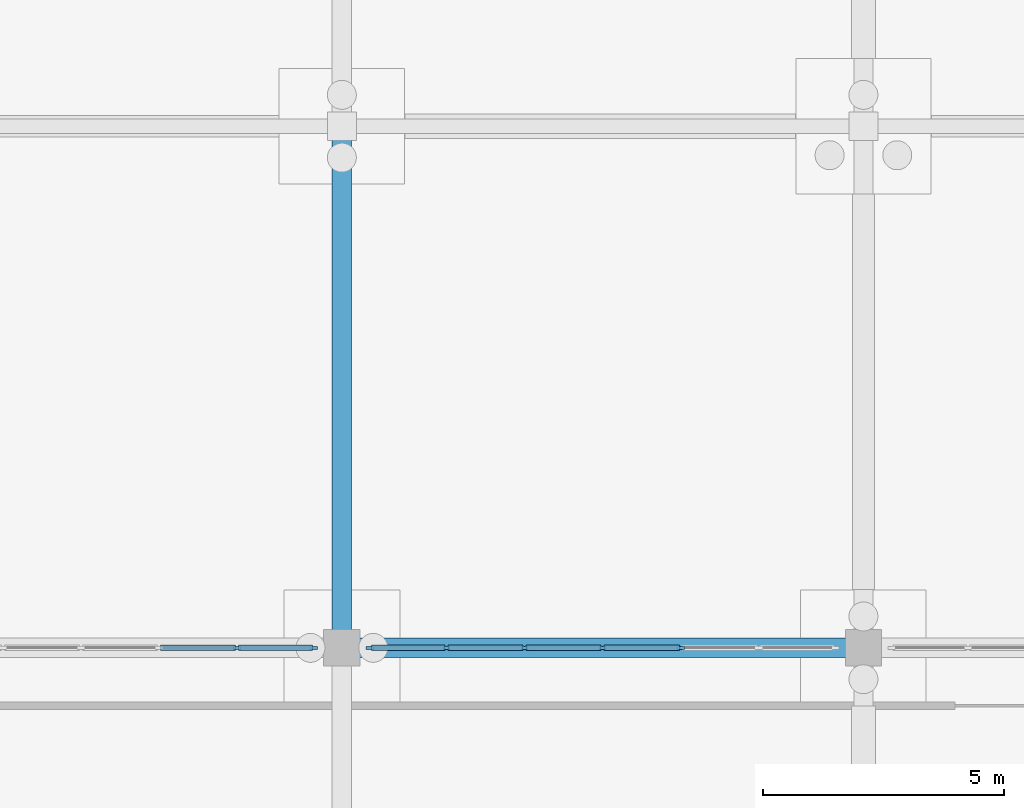
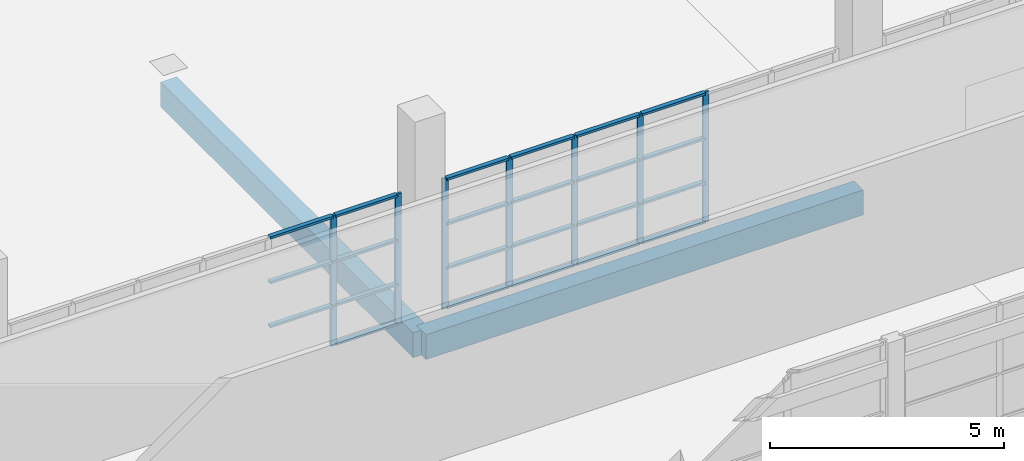
# One storey, part 38 of 138: 30 members, 2 beams, 2 elements without a shape of their own.
"""IFC4 building model written with IfcOpenShell, lengths in metres."""

from ifc_helpers import new_model, si_unit, direction, frame, origin, origin_2d, place, context, subcontext, project, spatial, rectangle, extrude, material, material_profile, profile_set, type_object, element, aggregate, save


model = new_model("IFC4")

# Units and contexts
model_context = context("Model", 3, precision=1e-05, world=origin(), true_north=direction((0.0, 1.0)))
body_context = subcontext(model_context, "Body", "Model", "MODEL_VIEW")
ifc_project = project(units=[si_unit("LENGTHUNIT", "METRE"), si_unit("AREAUNIT", "SQUARE_METRE"), si_unit("VOLUMEUNIT", "CUBIC_METRE"), si_unit("PLANEANGLEUNIT", "RADIAN"), si_unit("MASSUNIT", "GRAM", prefix="KILO")], contexts=[model_context])

# Site, building, storey
site_placement = place(None, origin())
site = spatial("IfcSite", under=ifc_project, at=site_placement, CompositionType="ELEMENT")
building_placement = place(site_placement, origin())
building = spatial("IfcBuilding", under=site, at=building_placement, Name="Zwinboog Wholesale Market", CompositionType="ELEMENT")
storey_placement = place(building_placement, origin())
storey = spatial("IfcBuildingStorey", under=building, at=storey_placement, Name="L00", CompositionType="ELEMENT", Elevation=0.0)

# Beams
ifc_material_1 = material(Name="Precast concrete C45/55", Category="concrete")
ifc_material_profile_1 = material_profile(ifc_material_1, rectangle(XDim=0.39990234375, YDim=0.64990234375, at=origin_2d()), Name="PC 400x650")
ifc_profile_set_1 = profile_set([ifc_material_profile_1], Name="Precast concrete C45/55")
beam_type = type_object("IfcBeamType", Name="BT-05", PredefinedType="BEAM", material=ifc_profile_set_1)
for number, where, z_axis, x_axis, name in (
    (1, (118.800048828125, 54.0, -0.705078125), (1.0, 0.0, 0.0), (0.0, 1.0, 0.0), "BG-05 (BMG-L00-1188-0540-0078)"),
    (2, (118.800048828125, 54.0, -0.705078125), (0.0, 1.0, 0.0), (-1.0, 0.0, 0.0), "BG-05 (BMG-L00-1188-0540-0322)"),
):
    element("IfcBeam", number, at=place(storey_placement, frame(where, z_axis=z_axis, x_axis=x_axis)), inside=storey, type_object=beam_type, Name=name, PredefinedType="BEAM", context=body_context, shape_type="SweptSolid", body=[
        extrude(rectangle(XDim=0.39990234375, YDim=0.64990234375, at=origin_2d()), origin(), (0.0, 0.0, 1.0), 10.800048828125),
    ])

# Curtain wall, members
ifc_material_2 = material(Name="Aluminium thermally broken curtain wall", Category="aluminium")
curtain_wall_type = type_object("IfcCurtainWallType", Name="CWT-INT-STALL", PredefinedType="USERDEFINED", material=ifc_material_2)
curtain_wall_1_placement = place(storey_placement, origin())
curtain_wall_1 = element("IfcCurtainWall", 3, at=curtain_wall_1_placement, inside=storey, type_object=curtain_wall_type, Name="CW-07 (CW-STL-185)", ObjectType="STOREFRONT_GLAZING", PredefinedType="USERDEFINED")
ifc_material_3 = material(Name="Aluminium EN AW-6060", Category="aluminium")
ifc_material_profile_2 = material_profile(ifc_material_3, rectangle(XDim=0.06005859375, YDim=0.14990234375, at=origin_2d()), Name="AL 60x150")
ifc_profile_set_2 = profile_set([ifc_material_profile_2], Name="Aluminium EN AW-6060")
member_type_1 = type_object("IfcMemberType", Name="CWM-INT-60x120", PredefinedType="MULLION", material=ifc_profile_set_2)
member_1_placement = place(storey_placement, frame((116.63330078125, 54.0, 0.0), z_axis=(0.0, 0.0, 1.0), x_axis=(0.0, 1.0, 0.0)))
member_1 = element("IfcMember", 4, at=member_1_placement, type_object=member_type_1, Name="CW-07 mullion 6", PredefinedType="MULLION", context=body_context, shape_type="SweptSolid", body=[
    extrude(rectangle(XDim=0.06005859375, YDim=0.14990234375, at=origin_2d()), origin(), (0.0, 0.0, 1.0), 3.39990234375),
])
member_2_placement = place(storey_placement, frame((118.219970703125, 54.0, 0.0), z_axis=(0.0, 0.0, 1.0), x_axis=(0.0, 1.0, 0.0)))
member_2 = element("IfcMember", 5, at=member_2_placement, type_object=member_type_1, Name="CW-07 mullion 7", PredefinedType="MULLION", context=body_context, shape_type="SweptSolid", body=[
    extrude(rectangle(XDim=0.06005859375, YDim=0.14990234375, at=origin_2d()), origin(), (0.0, 0.0, 1.0), 3.39990234375),
])

curtain_wall_2_placement = place(storey_placement, origin())
curtain_wall_2 = element("IfcCurtainWall", 6, at=curtain_wall_2_placement, inside=storey, type_object=curtain_wall_type, Name="CW-07 (CW-STL-186)", ObjectType="STOREFRONT_GLAZING", PredefinedType="USERDEFINED")
member_3_placement = place(storey_placement, frame((119.3798828125, 54.0, 0.0), z_axis=(0.0, 0.0, 1.0), x_axis=(0.0, 1.0, 0.0)))
member_3 = element("IfcMember", 7, at=member_3_placement, type_object=member_type_1, Name="CW-07 mullion 1", PredefinedType="MULLION", context=body_context, shape_type="SweptSolid", body=[
    extrude(rectangle(XDim=0.06005859375, YDim=0.14990234375, at=origin_2d()), origin(), (0.0, 0.0, 1.0), 3.39990234375),
])
member_4_placement = place(storey_placement, frame((120.966552734375, 54.0, 0.0), z_axis=(0.0, 0.0, 1.0), x_axis=(0.0, 1.0, 0.0)))
member_4 = element("IfcMember", 8, at=member_4_placement, type_object=member_type_1, Name="CW-07 mullion 2", PredefinedType="MULLION", context=body_context, shape_type="SweptSolid", body=[
    extrude(rectangle(XDim=0.06005859375, YDim=0.14990234375, at=origin_2d()), origin(), (0.0, 0.0, 1.0), 3.39990234375),
])
member_5_placement = place(storey_placement, frame((122.583251953125, 54.0, 0.0), z_axis=(0.0, 0.0, 1.0), x_axis=(0.0, 1.0, 0.0)))
member_5 = element("IfcMember", 9, at=member_5_placement, type_object=member_type_1, Name="CW-07 mullion 3", PredefinedType="MULLION", context=body_context, shape_type="SweptSolid", body=[
    extrude(rectangle(XDim=0.06005859375, YDim=0.14990234375, at=origin_2d()), origin(), (0.0, 0.0, 1.0), 3.39990234375),
])
member_6_placement = place(storey_placement, frame((124.199951171875, 54.0, 0.0), z_axis=(0.0, 0.0, 1.0), x_axis=(0.0, 1.0, 0.0)))
member_6 = element("IfcMember", 10, at=member_6_placement, type_object=member_type_1, Name="CW-07 mullion 4", PredefinedType="MULLION", context=body_context, shape_type="SweptSolid", body=[
    extrude(rectangle(XDim=0.06005859375, YDim=0.14990234375, at=origin_2d()), origin(), (0.0, 0.0, 1.0), 3.39990234375),
])
member_7_placement = place(storey_placement, frame((125.816650390625, 54.0, 0.0), z_axis=(0.0, 0.0, 1.0), x_axis=(0.0, 1.0, 0.0)))
member_7 = element("IfcMember", 11, at=member_7_placement, type_object=member_type_1, Name="CW-07 mullion 5", PredefinedType="MULLION", context=body_context, shape_type="SweptSolid", body=[
    extrude(rectangle(XDim=0.06005859375, YDim=0.14990234375, at=origin_2d()), origin(), (0.0, 0.0, 1.0), 3.39990234375),
])

# Member
ifc_material_profile_3 = material_profile(ifc_material_3, rectangle(XDim=0.110107421875, YDim=0.06005859375, at=origin_2d()), Name="AL 60x110")
ifc_profile_set_3 = profile_set([ifc_material_profile_3], Name="Aluminium EN AW-6060")
member_type_2 = type_object("IfcMemberType", Name="CWT-INT-60x100", PredefinedType="USERDEFINED", material=ifc_profile_set_3)
member_8_placement = place(storey_placement, frame((115.046630859375, 54.0, 1.050048828125), z_axis=(1.0, 0.0, 0.0), x_axis=(0.0, 1.0, 0.0)))
member_8 = element("IfcMember", 12, at=member_8_placement, type_object=member_type_2, Name="CW-07 transom 5.2", ObjectType="TRANSOM", PredefinedType="USERDEFINED", context=body_context, shape_type="SweptSolid", body=[
    extrude(rectangle(XDim=0.110107421875, YDim=0.06005859375, at=origin_2d()), origin(), (0.0, 0.0, 1.0), 1.556640625),
])

member_9_placement = place(storey_placement, frame((115.046630859375, 54.0, 2.199951171875), z_axis=(1.0, 0.0, 0.0), x_axis=(0.0, 1.0, 0.0)))
member_9 = element("IfcMember", 13, at=member_9_placement, type_object=member_type_2, Name="CW-07 transom 5.3", ObjectType="TRANSOM", PredefinedType="USERDEFINED", context=body_context, shape_type="SweptSolid", body=[
    extrude(rectangle(XDim=0.110107421875, YDim=0.06005859375, at=origin_2d()), origin(), (0.0, 0.0, 1.0), 1.556640625),
])

member_10_placement = place(storey_placement, frame((115.046630859375, 54.0, 3.3701171875), z_axis=(1.0, 0.0, 0.0), x_axis=(0.0, 1.0, 0.0)))
member_10 = element("IfcMember", 14, at=member_10_placement, type_object=member_type_2, Name="CW-07 transom 5.4", ObjectType="TRANSOM", PredefinedType="USERDEFINED", context=body_context, shape_type="SweptSolid", body=[
    extrude(rectangle(XDim=0.110107421875, YDim=0.06005859375, at=origin_2d()), origin(), (0.0, 0.0, 1.0), 1.556640625),
])

member_11_placement = place(storey_placement, frame((116.663330078125, 54.0, 0.030029296875), z_axis=(1.0, 0.0, 0.0), x_axis=(0.0, 1.0, 0.0)))
member_11 = element("IfcMember", 15, at=member_11_placement, type_object=member_type_2, Name="CW-07 transom 6.1", ObjectType="TRANSOM", PredefinedType="USERDEFINED", context=body_context, shape_type="SweptSolid", body=[
    extrude(rectangle(XDim=0.110107421875, YDim=0.06005859375, at=origin_2d()), origin(), (0.0, 0.0, 1.0), 1.526611328125),
])

member_12_placement = place(storey_placement, frame((116.663330078125, 54.0, 1.050048828125), z_axis=(1.0, 0.0, 0.0), x_axis=(0.0, 1.0, 0.0)))
member_12 = element("IfcMember", 16, at=member_12_placement, type_object=member_type_2, Name="CW-07 transom 6.2", ObjectType="TRANSOM", PredefinedType="USERDEFINED", context=body_context, shape_type="SweptSolid", body=[
    extrude(rectangle(XDim=0.110107421875, YDim=0.06005859375, at=origin_2d()), origin(), (0.0, 0.0, 1.0), 1.526611328125),
])

member_13_placement = place(storey_placement, frame((116.663330078125, 54.0, 2.199951171875), z_axis=(1.0, 0.0, 0.0), x_axis=(0.0, 1.0, 0.0)))
member_13 = element("IfcMember", 17, at=member_13_placement, type_object=member_type_2, Name="CW-07 transom 6.3", ObjectType="TRANSOM", PredefinedType="USERDEFINED", context=body_context, shape_type="SweptSolid", body=[
    extrude(rectangle(XDim=0.110107421875, YDim=0.06005859375, at=origin_2d()), origin(), (0.0, 0.0, 1.0), 1.526611328125),
])

member_14_placement = place(storey_placement, frame((116.663330078125, 54.0, 3.3701171875), z_axis=(1.0, 0.0, 0.0), x_axis=(0.0, 1.0, 0.0)))
member_14 = element("IfcMember", 18, at=member_14_placement, type_object=member_type_2, Name="CW-07 transom 6.4", ObjectType="TRANSOM", PredefinedType="USERDEFINED", context=body_context, shape_type="SweptSolid", body=[
    extrude(rectangle(XDim=0.110107421875, YDim=0.06005859375, at=origin_2d()), origin(), (0.0, 0.0, 1.0), 1.526611328125),
])

aggregate(curtain_wall_1, [member_1, member_2, member_8, member_9, member_10, member_11, member_12, member_13, member_14])

member_15_placement = place(storey_placement, frame((119.409912109375, 54.0, 0.030029296875), z_axis=(1.0, 0.0, 0.0), x_axis=(0.0, 1.0, 0.0)))
member_15 = element("IfcMember", 19, at=member_15_placement, type_object=member_type_2, Name="CW-07 transom 1.1", ObjectType="TRANSOM", PredefinedType="USERDEFINED", context=body_context, shape_type="SweptSolid", body=[
    extrude(rectangle(XDim=0.110107421875, YDim=0.06005859375, at=origin_2d()), origin(), (0.0, 0.0, 1.0), 1.52685546875),
])

member_16_placement = place(storey_placement, frame((119.409912109375, 54.0, 1.050048828125), z_axis=(1.0, 0.0, 0.0), x_axis=(0.0, 1.0, 0.0)))
member_16 = element("IfcMember", 20, at=member_16_placement, type_object=member_type_2, Name="CW-07 transom 1.2", ObjectType="TRANSOM", PredefinedType="USERDEFINED", context=body_context, shape_type="SweptSolid", body=[
    extrude(rectangle(XDim=0.110107421875, YDim=0.06005859375, at=origin_2d()), origin(), (0.0, 0.0, 1.0), 1.52685546875),
])

member_17_placement = place(storey_placement, frame((119.409912109375, 54.0, 2.199951171875), z_axis=(1.0, 0.0, 0.0), x_axis=(0.0, 1.0, 0.0)))
member_17 = element("IfcMember", 21, at=member_17_placement, type_object=member_type_2, Name="CW-07 transom 1.3", ObjectType="TRANSOM", PredefinedType="USERDEFINED", context=body_context, shape_type="SweptSolid", body=[
    extrude(rectangle(XDim=0.110107421875, YDim=0.06005859375, at=origin_2d()), origin(), (0.0, 0.0, 1.0), 1.52685546875),
])

member_18_placement = place(storey_placement, frame((119.409912109375, 54.0, 3.3701171875), z_axis=(1.0, 0.0, 0.0), x_axis=(0.0, 1.0, 0.0)))
member_18 = element("IfcMember", 22, at=member_18_placement, type_object=member_type_2, Name="CW-07 transom 1.4", ObjectType="TRANSOM", PredefinedType="USERDEFINED", context=body_context, shape_type="SweptSolid", body=[
    extrude(rectangle(XDim=0.110107421875, YDim=0.06005859375, at=origin_2d()), origin(), (0.0, 0.0, 1.0), 1.52685546875),
])

member_19_placement = place(storey_placement, frame((120.99658203125, 54.0, 0.030029296875), z_axis=(1.0, 0.0, 0.0), x_axis=(0.0, 1.0, 0.0)))
member_19 = element("IfcMember", 23, at=member_19_placement, type_object=member_type_2, Name="CW-07 transom 2.1", ObjectType="TRANSOM", PredefinedType="USERDEFINED", context=body_context, shape_type="SweptSolid", body=[
    extrude(rectangle(XDim=0.110107421875, YDim=0.06005859375, at=origin_2d()), origin(), (0.0, 0.0, 1.0), 1.556640625),
])

member_20_placement = place(storey_placement, frame((120.99658203125, 54.0, 1.050048828125), z_axis=(1.0, 0.0, 0.0), x_axis=(0.0, 1.0, 0.0)))
member_20 = element("IfcMember", 24, at=member_20_placement, type_object=member_type_2, Name="CW-07 transom 2.2", ObjectType="TRANSOM", PredefinedType="USERDEFINED", context=body_context, shape_type="SweptSolid", body=[
    extrude(rectangle(XDim=0.110107421875, YDim=0.06005859375, at=origin_2d()), origin(), (0.0, 0.0, 1.0), 1.556640625),
])

member_21_placement = place(storey_placement, frame((120.99658203125, 54.0, 2.199951171875), z_axis=(1.0, 0.0, 0.0), x_axis=(0.0, 1.0, 0.0)))
member_21 = element("IfcMember", 25, at=member_21_placement, type_object=member_type_2, Name="CW-07 transom 2.3", ObjectType="TRANSOM", PredefinedType="USERDEFINED", context=body_context, shape_type="SweptSolid", body=[
    extrude(rectangle(XDim=0.110107421875, YDim=0.06005859375, at=origin_2d()), origin(), (0.0, 0.0, 1.0), 1.556640625),
])

member_22_placement = place(storey_placement, frame((120.99658203125, 54.0, 3.3701171875), z_axis=(1.0, 0.0, 0.0), x_axis=(0.0, 1.0, 0.0)))
member_22 = element("IfcMember", 26, at=member_22_placement, type_object=member_type_2, Name="CW-07 transom 2.4", ObjectType="TRANSOM", PredefinedType="USERDEFINED", context=body_context, shape_type="SweptSolid", body=[
    extrude(rectangle(XDim=0.110107421875, YDim=0.06005859375, at=origin_2d()), origin(), (0.0, 0.0, 1.0), 1.556640625),
])

member_23_placement = place(storey_placement, frame((122.61328125, 54.0, 0.030029296875), z_axis=(1.0, 0.0, 0.0), x_axis=(0.0, 1.0, 0.0)))
member_23 = element("IfcMember", 27, at=member_23_placement, type_object=member_type_2, Name="CW-07 transom 3.1", ObjectType="TRANSOM", PredefinedType="USERDEFINED", context=body_context, shape_type="SweptSolid", body=[
    extrude(rectangle(XDim=0.110107421875, YDim=0.06005859375, at=origin_2d()), origin(), (0.0, 0.0, 1.0), 1.556640625),
])

member_24_placement = place(storey_placement, frame((122.61328125, 54.0, 1.050048828125), z_axis=(1.0, 0.0, 0.0), x_axis=(0.0, 1.0, 0.0)))
member_24 = element("IfcMember", 28, at=member_24_placement, type_object=member_type_2, Name="CW-07 transom 3.2", ObjectType="TRANSOM", PredefinedType="USERDEFINED", context=body_context, shape_type="SweptSolid", body=[
    extrude(rectangle(XDim=0.110107421875, YDim=0.06005859375, at=origin_2d()), origin(), (0.0, 0.0, 1.0), 1.556640625),
])

member_25_placement = place(storey_placement, frame((122.61328125, 54.0, 2.199951171875), z_axis=(1.0, 0.0, 0.0), x_axis=(0.0, 1.0, 0.0)))
member_25 = element("IfcMember", 29, at=member_25_placement, type_object=member_type_2, Name="CW-07 transom 3.3", ObjectType="TRANSOM", PredefinedType="USERDEFINED", context=body_context, shape_type="SweptSolid", body=[
    extrude(rectangle(XDim=0.110107421875, YDim=0.06005859375, at=origin_2d()), origin(), (0.0, 0.0, 1.0), 1.556640625),
])

member_26_placement = place(storey_placement, frame((122.61328125, 54.0, 3.3701171875), z_axis=(1.0, 0.0, 0.0), x_axis=(0.0, 1.0, 0.0)))
member_26 = element("IfcMember", 30, at=member_26_placement, type_object=member_type_2, Name="CW-07 transom 3.4", ObjectType="TRANSOM", PredefinedType="USERDEFINED", context=body_context, shape_type="SweptSolid", body=[
    extrude(rectangle(XDim=0.110107421875, YDim=0.06005859375, at=origin_2d()), origin(), (0.0, 0.0, 1.0), 1.556640625),
])

member_27_placement = place(storey_placement, frame((124.22998046875, 54.0, 0.030029296875), z_axis=(1.0, 0.0, 0.0), x_axis=(0.0, 1.0, 0.0)))
member_27 = element("IfcMember", 31, at=member_27_placement, type_object=member_type_2, Name="CW-07 transom 4.1", ObjectType="TRANSOM", PredefinedType="USERDEFINED", context=body_context, shape_type="SweptSolid", body=[
    extrude(rectangle(XDim=0.110107421875, YDim=0.06005859375, at=origin_2d()), origin(), (0.0, 0.0, 1.0), 1.556640625),
])

member_28_placement = place(storey_placement, frame((124.22998046875, 54.0, 1.050048828125), z_axis=(1.0, 0.0, 0.0), x_axis=(0.0, 1.0, 0.0)))
member_28 = element("IfcMember", 32, at=member_28_placement, type_object=member_type_2, Name="CW-07 transom 4.2", ObjectType="TRANSOM", PredefinedType="USERDEFINED", context=body_context, shape_type="SweptSolid", body=[
    extrude(rectangle(XDim=0.110107421875, YDim=0.06005859375, at=origin_2d()), origin(), (0.0, 0.0, 1.0), 1.556640625),
])

member_29_placement = place(storey_placement, frame((124.22998046875, 54.0, 2.199951171875), z_axis=(1.0, 0.0, 0.0), x_axis=(0.0, 1.0, 0.0)))
member_29 = element("IfcMember", 33, at=member_29_placement, type_object=member_type_2, Name="CW-07 transom 4.3", ObjectType="TRANSOM", PredefinedType="USERDEFINED", context=body_context, shape_type="SweptSolid", body=[
    extrude(rectangle(XDim=0.110107421875, YDim=0.06005859375, at=origin_2d()), origin(), (0.0, 0.0, 1.0), 1.556640625),
])

member_30_placement = place(storey_placement, frame((124.22998046875, 54.0, 3.3701171875), z_axis=(1.0, 0.0, 0.0), x_axis=(0.0, 1.0, 0.0)))
member_30 = element("IfcMember", 34, at=member_30_placement, type_object=member_type_2, Name="CW-07 transom 4.4", ObjectType="TRANSOM", PredefinedType="USERDEFINED", context=body_context, shape_type="SweptSolid", body=[
    extrude(rectangle(XDim=0.110107421875, YDim=0.06005859375, at=origin_2d()), origin(), (0.0, 0.0, 1.0), 1.556640625),
])

aggregate(curtain_wall_2, [member_3, member_4, member_5, member_6, member_7, member_15, member_16, member_17, member_18, member_19, member_20, member_21, member_22, member_23, member_24, member_25, member_26, member_27, member_28, member_29, member_30])

save(model, "model.ifc")
